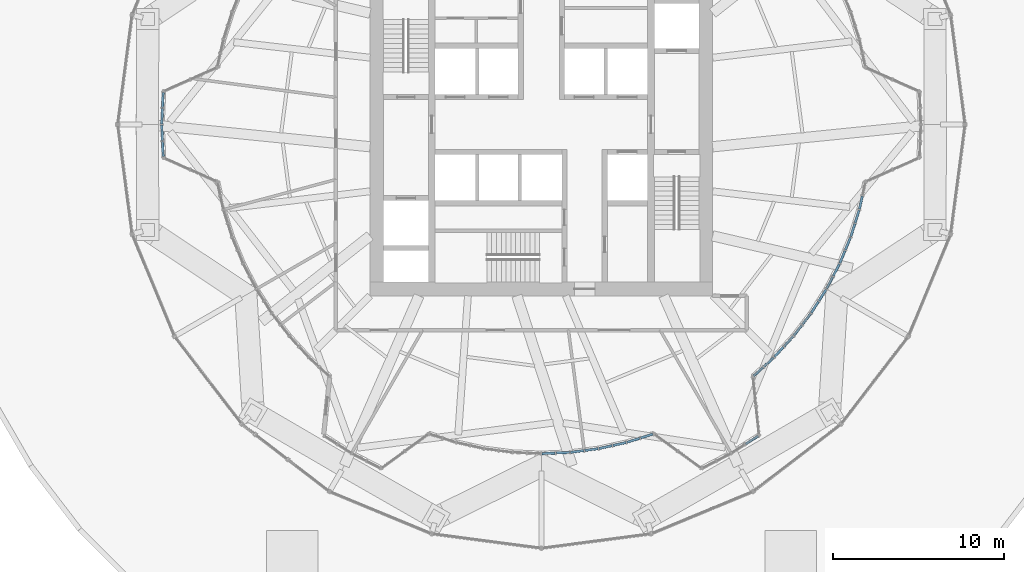
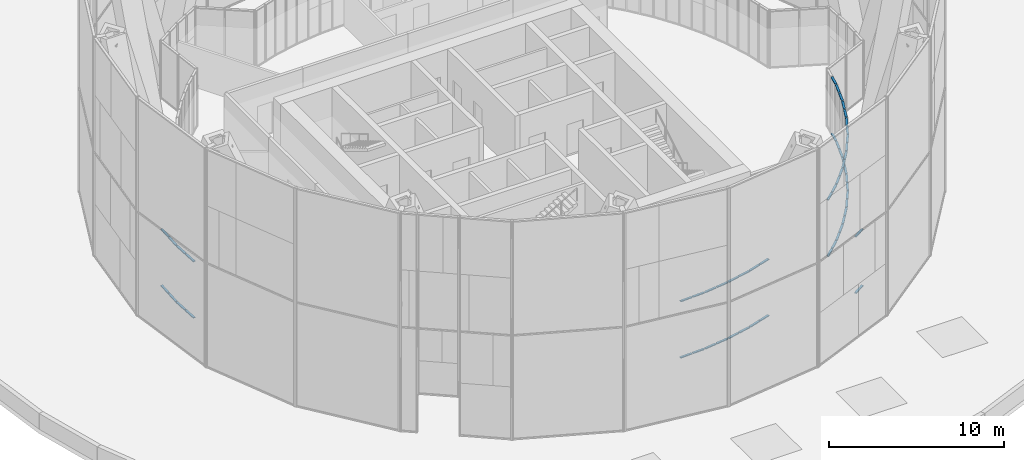
# One storey, part 12 of 27: 56 members, 15 elements without a shape of their own.
"""IFC4 building model written with IfcOpenShell, lengths in metres."""

from ifc_helpers import new_model, si_unit, direction, frame, origin, origin_2d, place, context, subcontext, project, spatial, rectangle, extrude, material, material_profile, profile_set, type_object, element, aggregate, save


model = new_model("IFC4")

# Units and contexts
model_context = context("Model", 3, precision=1e-05, world=origin(), true_north=direction((0.0, 1.0)))
body_context = subcontext(model_context, "Body", "Model", "MODEL_VIEW")
ifc_project = project(units=[si_unit("LENGTHUNIT", "METRE"), si_unit("AREAUNIT", "SQUARE_METRE"), si_unit("VOLUMEUNIT", "CUBIC_METRE"), si_unit("PLANEANGLEUNIT", "RADIAN"), si_unit("MASSUNIT", "GRAM", prefix="KILO")], contexts=[model_context])

# Site, building, storey
site_placement = place(None, origin())
site = spatial("IfcSite", under=ifc_project, at=site_placement, CompositionType="ELEMENT")
building_placement = place(site_placement, origin())
building = spatial("IfcBuilding", under=site, at=building_placement, Name="Golbaran Civic Tower", CompositionType="ELEMENT")
storey_placement = place(building_placement, frame((0.0, 0.0, 21.0)))
storey = spatial("IfcBuildingStorey", under=building, at=storey_placement, Name="L04", CompositionType="ELEMENT", Elevation=21.0)

# Curtain wall, members
ifc_material_1 = material(Name="Aluminium and glass", Category="aluminium")
curtain_wall_type = type_object("IfcCurtainWallType", Name="INNER SKIN CURTAIN WALL", PredefinedType="NOTDEFINED", material=ifc_material_1)
curtain_wall_1_placement = place(storey_placement, origin())
curtain_wall_1 = element("IfcCurtainWall", 1, at=curtain_wall_1_placement, inside=storey, type_object=curtain_wall_type, Name="Inner skin L04 facet 36 CW1", ObjectType="INNER SKIN", PredefinedType="USERDEFINED")
ifc_material_2 = material(Name="Aluminium", Category="aluminium")
ifc_material_profile = material_profile(ifc_material_2, rectangle(XDim=0.139892578125, YDim=0.06494140625, at=origin_2d()), Name="INNER SKIN CURTAIN WALL TRANSOM")
ifc_profile_set = profile_set([ifc_material_profile], Name="Aluminium")
member_type = type_object("IfcMemberType", Name="INNER SKIN CURTAIN WALL TRANSOM", PredefinedType="USERDEFINED", material=ifc_profile_set)
member_1_placement = place(storey_placement, frame((-22.07861328125, 1.866455078125, 0.032470703125), z_axis=(-0.043534733393, -0.999051914061, 0.0), x_axis=(0.999051914061, -0.043534733393, 0.0)))
member_1 = element("IfcMember", 2, at=member_1_placement, type_object=member_type, Name="CW1 transom 1.1", ObjectType="TRANSOM", PredefinedType="USERDEFINED", context=body_context, shape_type="SweptSolid", body=[
    extrude(rectangle(XDim=0.139892578125, YDim=0.06494140625, at=origin_2d()), origin(), (0.0, 0.0, 1.0), 0.869140625),
])
member_2_placement = place(storey_placement, frame((-22.07861328125, 1.866455078125, 3.967529296875), z_axis=(-0.043534733393, -0.999051914061, 0.0), x_axis=(0.999051914061, -0.043534733393, 0.0)))
member_2 = element("IfcMember", 3, at=member_2_placement, type_object=member_type, Name="CW1 transom 1.2", ObjectType="TRANSOM", PredefinedType="USERDEFINED", context=body_context, shape_type="SweptSolid", body=[
    extrude(rectangle(XDim=0.139892578125, YDim=0.06494140625, at=origin_2d()), origin(), (0.0, 0.0, 1.0), 0.869140625),
])
member_3_placement = place(storey_placement, frame((-22.119140625, 0.93310546875, 0.032470703125), z_axis=(-0.043872057348, -0.999037157759, 0.0), x_axis=(0.999037157759, -0.043872057348, 0.0)))
member_3 = element("IfcMember", 4, at=member_3_placement, type_object=member_type, Name="CW1 transom 2.1", ObjectType="TRANSOM", PredefinedType="USERDEFINED", context=body_context, shape_type="SweptSolid", body=[
    extrude(rectangle(XDim=0.139892578125, YDim=0.06494140625, at=origin_2d()), origin(), (0.0, 0.0, 1.0), 0.901611328125),
])
member_4_placement = place(storey_placement, frame((-22.119140625, 0.93310546875, 3.967529296875), z_axis=(-0.043872057348, -0.999037157759, 0.0), x_axis=(0.999037157759, -0.043872057348, 0.0)))
member_4 = element("IfcMember", 5, at=member_4_placement, type_object=member_type, Name="CW1 transom 2.2", ObjectType="TRANSOM", PredefinedType="USERDEFINED", context=body_context, shape_type="SweptSolid", body=[
    extrude(rectangle(XDim=0.139892578125, YDim=0.06494140625, at=origin_2d()), origin(), (0.0, 0.0, 1.0), 0.901611328125),
])
aggregate(curtain_wall_1, [member_1, member_2, member_3, member_4])

curtain_wall_2_placement = place(storey_placement, origin())
curtain_wall_2 = element("IfcCurtainWall", 6, at=curtain_wall_2_placement, inside=storey, type_object=curtain_wall_type, Name="Inner skin L04 facet 37 CW1", ObjectType="INNER SKIN", PredefinedType="USERDEFINED")
member_5_placement = place(storey_placement, frame((-22.15869140625, -0.032470703125, 0.032470703125), z_axis=(0.043872057348, -0.999037157759, 0.0), x_axis=(0.999037157759, 0.043872057348, 0.0)))
member_5 = element("IfcMember", 7, at=member_5_placement, type_object=member_type, Name="CW1 transom 1.1", ObjectType="TRANSOM", PredefinedType="USERDEFINED", context=body_context, shape_type="SweptSolid", body=[
    extrude(rectangle(XDim=0.139892578125, YDim=0.06494140625, at=origin_2d()), origin(), (0.0, 0.0, 1.0), 0.901611328125),
])
member_6_placement = place(storey_placement, frame((-22.15869140625, -0.032470703125, 3.967529296875), z_axis=(0.043872057348, -0.999037157759, 0.0), x_axis=(0.999037157759, 0.043872057348, 0.0)))
member_6 = element("IfcMember", 8, at=member_6_placement, type_object=member_type, Name="CW1 transom 1.2", ObjectType="TRANSOM", PredefinedType="USERDEFINED", context=body_context, shape_type="SweptSolid", body=[
    extrude(rectangle(XDim=0.139892578125, YDim=0.06494140625, at=origin_2d()), origin(), (0.0, 0.0, 1.0), 0.901611328125),
])
member_7_placement = place(storey_placement, frame((-22.116455078125, -0.998046875, 0.032470703125), z_axis=(0.043534733393, -0.999051914061, 0.0), x_axis=(0.999051914061, 0.043534733393, 0.0)))
member_7 = element("IfcMember", 9, at=member_7_placement, type_object=member_type, Name="CW1 transom 2.1", ObjectType="TRANSOM", PredefinedType="USERDEFINED", context=body_context, shape_type="SweptSolid", body=[
    extrude(rectangle(XDim=0.139892578125, YDim=0.06494140625, at=origin_2d()), origin(), (0.0, 0.0, 1.0), 0.869140625),
])
member_8_placement = place(storey_placement, frame((-22.116455078125, -0.998046875, 3.967529296875), z_axis=(0.043534733393, -0.999051914061, 0.0), x_axis=(0.999051914061, 0.043534733393, 0.0)))
member_8 = element("IfcMember", 10, at=member_8_placement, type_object=member_type, Name="CW1 transom 2.2", ObjectType="TRANSOM", PredefinedType="USERDEFINED", context=body_context, shape_type="SweptSolid", body=[
    extrude(rectangle(XDim=0.139892578125, YDim=0.06494140625, at=origin_2d()), origin(), (0.0, 0.0, 1.0), 0.869140625),
])
aggregate(curtain_wall_2, [member_5, member_6, member_7, member_8])

curtain_wall_3_placement = place(storey_placement, origin())
curtain_wall_3 = element("IfcCurtainWall", 11, at=curtain_wall_3_placement, inside=storey, type_object=curtain_wall_type, Name="Inner skin L04 facet 55 CW1", ObjectType="INNER SKIN", PredefinedType="USERDEFINED")
member_9_placement = place(storey_placement, frame((0.032470703125, -19.213623046875, 0.032470703125), z_axis=(0.999050191308, 0.043574249811, 0.0), x_axis=(-0.043574249811, 0.999050191308, 0.0)))
member_9 = element("IfcMember", 12, at=member_9_placement, type_object=member_type, Name="CW1 transom 1.1", ObjectType="TRANSOM", PredefinedType="USERDEFINED", context=body_context, shape_type="SweptSolid", body=[
    extrude(rectangle(XDim=0.139892578125, YDim=0.06494140625, at=origin_2d()), origin(), (0.0, 0.0, 1.0), 0.773193359375),
])
member_10_placement = place(storey_placement, frame((0.032470703125, -19.213623046875, 3.967529296875), z_axis=(0.999050191308, 0.043574249811, 0.0), x_axis=(-0.043574249811, 0.999050191308, 0.0)))
member_10 = element("IfcMember", 13, at=member_10_placement, type_object=member_type, Name="CW1 transom 1.2", ObjectType="TRANSOM", PredefinedType="USERDEFINED", context=body_context, shape_type="SweptSolid", body=[
    extrude(rectangle(XDim=0.139892578125, YDim=0.06494140625, at=origin_2d()), origin(), (0.0, 0.0, 1.0), 0.773193359375),
])
member_11_placement = place(storey_placement, frame((0.869873046875, -19.177001953125, 0.032470703125), z_axis=(0.999050191308, 0.043574249811, 0.0), x_axis=(-0.043574249811, 0.999050191308, 0.0)))
member_11 = element("IfcMember", 14, at=member_11_placement, type_object=member_type, Name="CW1 transom 2.1", ObjectType="TRANSOM", PredefinedType="USERDEFINED", context=body_context, shape_type="SweptSolid", body=[
    extrude(rectangle(XDim=0.139892578125, YDim=0.06494140625, at=origin_2d()), origin(), (0.0, 0.0, 1.0), 0.773193359375),
])
member_12_placement = place(storey_placement, frame((0.869873046875, -19.177001953125, 3.967529296875), z_axis=(0.999050191308, 0.043574249811, 0.0), x_axis=(-0.043574249811, 0.999050191308, 0.0)))
member_12 = element("IfcMember", 15, at=member_12_placement, type_object=member_type, Name="CW1 transom 2.2", ObjectType="TRANSOM", PredefinedType="USERDEFINED", context=body_context, shape_type="SweptSolid", body=[
    extrude(rectangle(XDim=0.139892578125, YDim=0.06494140625, at=origin_2d()), origin(), (0.0, 0.0, 1.0), 0.773193359375),
])
aggregate(curtain_wall_3, [member_9, member_10, member_11, member_12])

curtain_wall_4_placement = place(storey_placement, origin())
curtain_wall_4 = element("IfcCurtainWall", 16, at=curtain_wall_4_placement, inside=storey, type_object=curtain_wall_type, Name="Inner skin L04 facet 56 CW1", ObjectType="INNER SKIN", PredefinedType="USERDEFINED")
member_13_placement = place(storey_placement, frame((1.70703125, -19.1376953125, 0.032470703125), z_axis=(0.991414474121, 0.130756799072, 0.0), x_axis=(-0.130756799072, 0.991414474121, 0.0)))
member_13 = element("IfcMember", 17, at=member_13_placement, type_object=member_type, Name="CW1 transom 1.1", ObjectType="TRANSOM", PredefinedType="USERDEFINED", context=body_context, shape_type="SweptSolid", body=[
    extrude(rectangle(XDim=0.139892578125, YDim=0.06494140625, at=origin_2d()), origin(), (0.0, 0.0, 1.0), 0.77294921875),
])
member_14_placement = place(storey_placement, frame((1.70703125, -19.1376953125, 3.967529296875), z_axis=(0.991414474121, 0.130756799072, 0.0), x_axis=(-0.130756799072, 0.991414474121, 0.0)))
member_14 = element("IfcMember", 18, at=member_14_placement, type_object=member_type, Name="CW1 transom 1.2", ObjectType="TRANSOM", PredefinedType="USERDEFINED", context=body_context, shape_type="SweptSolid", body=[
    extrude(rectangle(XDim=0.139892578125, YDim=0.06494140625, at=origin_2d()), origin(), (0.0, 0.0, 1.0), 0.77294921875),
])
member_15_placement = place(storey_placement, frame((2.537841796875, -19.0283203125, 0.032470703125), z_axis=(0.99141987157, 0.130715868417, 0.0), x_axis=(-0.130715868417, 0.99141987157, 0.0)))
member_15 = element("IfcMember", 19, at=member_15_placement, type_object=member_type, Name="CW1 transom 2.1", ObjectType="TRANSOM", PredefinedType="USERDEFINED", context=body_context, shape_type="SweptSolid", body=[
    extrude(rectangle(XDim=0.139892578125, YDim=0.06494140625, at=origin_2d()), origin(), (0.0, 0.0, 1.0), 0.773193359375),
])
member_16_placement = place(storey_placement, frame((2.537841796875, -19.0283203125, 3.967529296875), z_axis=(0.99141987157, 0.130715868417, 0.0), x_axis=(-0.130715868417, 0.99141987157, 0.0)))
member_16 = element("IfcMember", 20, at=member_16_placement, type_object=member_type, Name="CW1 transom 2.2", ObjectType="TRANSOM", PredefinedType="USERDEFINED", context=body_context, shape_type="SweptSolid", body=[
    extrude(rectangle(XDim=0.139892578125, YDim=0.06494140625, at=origin_2d()), origin(), (0.0, 0.0, 1.0), 0.773193359375),
])
aggregate(curtain_wall_4, [member_13, member_14, member_15, member_16])

curtain_wall_5_placement = place(storey_placement, origin())
curtain_wall_5 = element("IfcCurtainWall", 21, at=curtain_wall_5_placement, inside=storey, type_object=curtain_wall_type, Name="Inner skin L04 facet 57 CW1", ObjectType="INNER SKIN", PredefinedType="USERDEFINED")
member_17_placement = place(storey_placement, frame((3.368408203125, -18.916015625, 0.032470703125), z_axis=(0.97632801652, 0.216295178304, 0.0), x_axis=(-0.216295178304, 0.97632801652, 0.0)))
member_17 = element("IfcMember", 22, at=member_17_placement, type_object=member_type, Name="CW1 transom 1.1", ObjectType="TRANSOM", PredefinedType="USERDEFINED", context=body_context, shape_type="SweptSolid", body=[
    extrude(rectangle(XDim=0.139892578125, YDim=0.06494140625, at=origin_2d()), origin(), (0.0, 0.0, 1.0), 0.773193359375),
])
member_18_placement = place(storey_placement, frame((3.368408203125, -18.916015625, 3.967529296875), z_axis=(0.97632801652, 0.216295178304, 0.0), x_axis=(-0.216295178304, 0.97632801652, 0.0)))
member_18 = element("IfcMember", 23, at=member_18_placement, type_object=member_type, Name="CW1 transom 1.2", ObjectType="TRANSOM", PredefinedType="USERDEFINED", context=body_context, shape_type="SweptSolid", body=[
    extrude(rectangle(XDim=0.139892578125, YDim=0.06494140625, at=origin_2d()), origin(), (0.0, 0.0, 1.0), 0.773193359375),
])
member_19_placement = place(storey_placement, frame((4.186767578125, -18.734619140625, 0.032470703125), z_axis=(0.976313237324, 0.216361878864, 0.0), x_axis=(-0.216361878864, 0.976313237324, 0.0)))
member_19 = element("IfcMember", 24, at=member_19_placement, type_object=member_type, Name="CW1 transom 2.1", ObjectType="TRANSOM", PredefinedType="USERDEFINED", context=body_context, shape_type="SweptSolid", body=[
    extrude(rectangle(XDim=0.139892578125, YDim=0.06494140625, at=origin_2d()), origin(), (0.0, 0.0, 1.0), 0.77294921875),
])
member_20_placement = place(storey_placement, frame((4.186767578125, -18.734619140625, 3.967529296875), z_axis=(0.976313237324, 0.216361878864, 0.0), x_axis=(-0.216361878864, 0.976313237324, 0.0)))
member_20 = element("IfcMember", 25, at=member_20_placement, type_object=member_type, Name="CW1 transom 2.2", ObjectType="TRANSOM", PredefinedType="USERDEFINED", context=body_context, shape_type="SweptSolid", body=[
    extrude(rectangle(XDim=0.139892578125, YDim=0.06494140625, at=origin_2d()), origin(), (0.0, 0.0, 1.0), 0.77294921875),
])
aggregate(curtain_wall_5, [member_17, member_18, member_19, member_20])

curtain_wall_6_placement = place(storey_placement, origin())
curtain_wall_6 = element("IfcCurtainWall", 26, at=curtain_wall_6_placement, inside=storey, type_object=curtain_wall_type, Name="Inner skin L04 facet 58 CW1", ObjectType="INNER SKIN", PredefinedType="USERDEFINED")
member_21_placement = place(storey_placement, frame((5.004150390625, -18.550537109375, 0.032470703125), z_axis=(0.953735275038, 0.300647676105, 0.0), x_axis=(-0.300647676105, 0.953735275038, 0.0)))
member_21 = element("IfcMember", 27, at=member_21_placement, type_object=member_type, Name="CW1 transom 1.1", ObjectType="TRANSOM", PredefinedType="USERDEFINED", context=body_context, shape_type="SweptSolid", body=[
    extrude(rectangle(XDim=0.139892578125, YDim=0.06494140625, at=origin_2d()), origin(), (0.0, 0.0, 1.0), 0.77294921875),
])
member_22_placement = place(storey_placement, frame((5.004150390625, -18.550537109375, 3.967529296875), z_axis=(0.953735275038, 0.300647676105, 0.0), x_axis=(-0.300647676105, 0.953735275038, 0.0)))
member_22 = element("IfcMember", 28, at=member_22_placement, type_object=member_type, Name="CW1 transom 1.2", ObjectType="TRANSOM", PredefinedType="USERDEFINED", context=body_context, shape_type="SweptSolid", body=[
    extrude(rectangle(XDim=0.139892578125, YDim=0.06494140625, at=origin_2d()), origin(), (0.0, 0.0, 1.0), 0.77294921875),
])
member_23_placement = place(storey_placement, frame((5.803466796875, -18.29833984375, 0.032470703125), z_axis=(0.953761806135, 0.300563499376, 0.0), x_axis=(-0.300563499376, 0.953761806135, 0.0)))
member_23 = element("IfcMember", 29, at=member_23_placement, type_object=member_type, Name="CW1 transom 2.1", ObjectType="TRANSOM", PredefinedType="USERDEFINED", context=body_context, shape_type="SweptSolid", body=[
    extrude(rectangle(XDim=0.139892578125, YDim=0.06494140625, at=origin_2d()), origin(), (0.0, 0.0, 1.0), 0.74072265625),
])
member_24_placement = place(storey_placement, frame((5.803466796875, -18.29833984375, 3.967529296875), z_axis=(0.953761806135, 0.300563499376, 0.0), x_axis=(-0.300563499376, 0.953761806135, 0.0)))
member_24 = element("IfcMember", 30, at=member_24_placement, type_object=member_type, Name="CW1 transom 2.2", ObjectType="TRANSOM", PredefinedType="USERDEFINED", context=body_context, shape_type="SweptSolid", body=[
    extrude(rectangle(XDim=0.139892578125, YDim=0.06494140625, at=origin_2d()), origin(), (0.0, 0.0, 1.0), 0.74072265625),
])
aggregate(curtain_wall_6, [member_21, member_22, member_23, member_24])

curtain_wall_7_placement = place(storey_placement, origin())
curtain_wall_7 = element("IfcCurtainWall", 31, at=curtain_wall_7_placement, inside=storey, type_object=curtain_wall_type, Name="Inner skin L04 facet 61 CW1", ObjectType="INNER SKIN", PredefinedType="USERDEFINED")
member_25_placement = place(storey_placement, frame((11.922607421875, -18.654296875, 0.032470703125), z_axis=(0.843325869914, 0.53740252803, 0.0), x_axis=(-0.53740252803, 0.843325869914, 0.0)))
member_25 = element("IfcMember", 32, at=member_25_placement, type_object=member_type, Name="CW1 transom 2.1", ObjectType="TRANSOM", PredefinedType="USERDEFINED", context=body_context, shape_type="SweptSolid", body=[
    extrude(rectangle(XDim=0.139892578125, YDim=0.06494140625, at=origin_2d()), origin(), (0.0, 0.0, 1.0), 0.869140625),
])
member_26_placement = place(storey_placement, frame((11.922607421875, -18.654296875, 3.967529296875), z_axis=(0.843325869914, 0.53740252803, 0.0), x_axis=(-0.53740252803, 0.843325869914, 0.0)))
member_26 = element("IfcMember", 33, at=member_26_placement, type_object=member_type, Name="CW1 transom 2.2", ObjectType="TRANSOM", PredefinedType="USERDEFINED", context=body_context, shape_type="SweptSolid", body=[
    extrude(rectangle(XDim=0.139892578125, YDim=0.06494140625, at=origin_2d()), origin(), (0.0, 0.0, 1.0), 0.869140625),
])
aggregate(curtain_wall_7, [member_25, member_26])

curtain_wall_8_placement = place(storey_placement, origin())
curtain_wall_8 = element("IfcCurtainWall", 34, at=curtain_wall_8_placement, inside=storey, type_object=curtain_wall_type, Name="Inner skin L04 facet 63 CW1", ObjectType="INNER SKIN", PredefinedType="USERDEFINED")
member_27_placement = place(storey_placement, frame((12.399169921875, -14.675537109375, 0.032470703125), z_axis=(0.737263623889, 0.675605172338, 0.0), x_axis=(-0.675605172338, 0.737263623889, 0.0)))
member_27 = element("IfcMember", 35, at=member_27_placement, type_object=member_type, Name="CW1 transom 1.1", ObjectType="TRANSOM", PredefinedType="USERDEFINED", context=body_context, shape_type="SweptSolid", body=[
    extrude(rectangle(XDim=0.139892578125, YDim=0.06494140625, at=origin_2d()), origin(), (0.0, 0.0, 1.0), 0.740478515625),
])
member_28_placement = place(storey_placement, frame((12.399169921875, -14.675537109375, 3.967529296875), z_axis=(0.737263623889, 0.675605172338, 0.0), x_axis=(-0.675605172338, 0.737263623889, 0.0)))
member_28 = element("IfcMember", 36, at=member_28_placement, type_object=member_type, Name="CW1 transom 1.2", ObjectType="TRANSOM", PredefinedType="USERDEFINED", context=body_context, shape_type="SweptSolid", body=[
    extrude(rectangle(XDim=0.139892578125, YDim=0.06494140625, at=origin_2d()), origin(), (0.0, 0.0, 1.0), 0.740478515625),
])
member_29_placement = place(storey_placement, frame((12.9931640625, -14.13134765625, 0.032470703125), z_axis=(0.737232803885, 0.67563880356, 0.0), x_axis=(-0.67563880356, 0.737232803885, 0.0)))
member_29 = element("IfcMember", 37, at=member_29_placement, type_object=member_type, Name="CW1 transom 2.1", ObjectType="TRANSOM", PredefinedType="USERDEFINED", context=body_context, shape_type="SweptSolid", body=[
    extrude(rectangle(XDim=0.139892578125, YDim=0.06494140625, at=origin_2d()), origin(), (0.0, 0.0, 1.0), 0.77294921875),
])
member_30_placement = place(storey_placement, frame((12.9931640625, -14.13134765625, 3.967529296875), z_axis=(0.737232803885, 0.67563880356, 0.0), x_axis=(-0.67563880356, 0.737232803885, 0.0)))
member_30 = element("IfcMember", 38, at=member_30_placement, type_object=member_type, Name="CW1 transom 2.2", ObjectType="TRANSOM", PredefinedType="USERDEFINED", context=body_context, shape_type="SweptSolid", body=[
    extrude(rectangle(XDim=0.139892578125, YDim=0.06494140625, at=origin_2d()), origin(), (0.0, 0.0, 1.0), 0.77294921875),
])
aggregate(curtain_wall_8, [member_27, member_28, member_29, member_30])

curtain_wall_9_placement = place(storey_placement, origin())
curtain_wall_9 = element("IfcCurtainWall", 39, at=curtain_wall_9_placement, inside=storey, type_object=curtain_wall_type, Name="Inner skin L04 facet 64 CW1", ObjectType="INNER SKIN", PredefinedType="USERDEFINED")
member_31_placement = place(storey_placement, frame((13.609130859375, -13.56298828125, 0.032470703125), z_axis=(0.67563880356, 0.737232803885, 0.0), x_axis=(-0.737232803885, 0.67563880356, 0.0)))
member_31 = element("IfcMember", 40, at=member_31_placement, type_object=member_type, Name="CW1 transom 1.1", ObjectType="TRANSOM", PredefinedType="USERDEFINED", context=body_context, shape_type="SweptSolid", body=[
    extrude(rectangle(XDim=0.139892578125, YDim=0.06494140625, at=origin_2d()), origin(), (0.0, 0.0, 1.0), 0.77294921875),
])
member_32_placement = place(storey_placement, frame((13.609130859375, -13.56298828125, 3.967529296875), z_axis=(0.67563880356, 0.737232803885, 0.0), x_axis=(-0.737232803885, 0.67563880356, 0.0)))
member_32 = element("IfcMember", 41, at=member_32_placement, type_object=member_type, Name="CW1 transom 1.2", ObjectType="TRANSOM", PredefinedType="USERDEFINED", context=body_context, shape_type="SweptSolid", body=[
    extrude(rectangle(XDim=0.139892578125, YDim=0.06494140625, at=origin_2d()), origin(), (0.0, 0.0, 1.0), 0.77294921875),
])
member_33_placement = place(storey_placement, frame((14.17529296875, -12.945068359375, 0.032470703125), z_axis=(0.67563880356, 0.737232803885, 0.0), x_axis=(-0.737232803885, 0.67563880356, 0.0)))
member_33 = element("IfcMember", 42, at=member_33_placement, type_object=member_type, Name="CW1 transom 2.1", ObjectType="TRANSOM", PredefinedType="USERDEFINED", context=body_context, shape_type="SweptSolid", body=[
    extrude(rectangle(XDim=0.139892578125, YDim=0.06494140625, at=origin_2d()), origin(), (0.0, 0.0, 1.0), 0.77294921875),
])
member_34_placement = place(storey_placement, frame((14.17529296875, -12.945068359375, 3.967529296875), z_axis=(0.67563880356, 0.737232803885, 0.0), x_axis=(-0.737232803885, 0.67563880356, 0.0)))
member_34 = element("IfcMember", 43, at=member_34_placement, type_object=member_type, Name="CW1 transom 2.2", ObjectType="TRANSOM", PredefinedType="USERDEFINED", context=body_context, shape_type="SweptSolid", body=[
    extrude(rectangle(XDim=0.139892578125, YDim=0.06494140625, at=origin_2d()), origin(), (0.0, 0.0, 1.0), 0.77294921875),
])
aggregate(curtain_wall_9, [member_31, member_32, member_33, member_34])

curtain_wall_10_placement = place(storey_placement, origin())
curtain_wall_10 = element("IfcCurtainWall", 44, at=curtain_wall_10_placement, inside=storey, type_object=curtain_wall_type, Name="Inner skin L04 facet 65 CW1", ObjectType="INNER SKIN", PredefinedType="USERDEFINED")
member_35_placement = place(storey_placement, frame((14.7392578125, -12.325439453125, 0.032470703125), z_axis=(0.608703259192, 0.793397972173, 0.0), x_axis=(-0.793397972173, 0.608703259192, 0.0)))
member_35 = element("IfcMember", 45, at=member_35_placement, type_object=member_type, Name="CW1 transom 1.1", ObjectType="TRANSOM", PredefinedType="USERDEFINED", context=body_context, shape_type="SweptSolid", body=[
    extrude(rectangle(XDim=0.139892578125, YDim=0.06494140625, at=origin_2d()), origin(), (0.0, 0.0, 1.0), 0.773193359375),
])
member_36_placement = place(storey_placement, frame((14.7392578125, -12.325439453125, 3.967529296875), z_axis=(0.608703259192, 0.793397972173, 0.0), x_axis=(-0.793397972173, 0.608703259192, 0.0)))
member_36 = element("IfcMember", 46, at=member_36_placement, type_object=member_type, Name="CW1 transom 1.2", ObjectType="TRANSOM", PredefinedType="USERDEFINED", context=body_context, shape_type="SweptSolid", body=[
    extrude(rectangle(XDim=0.139892578125, YDim=0.06494140625, at=origin_2d()), origin(), (0.0, 0.0, 1.0), 0.773193359375),
])
member_37_placement = place(storey_placement, frame((15.24951171875, -11.660400390625, 0.032470703125), z_axis=(0.608855759976, 0.793280948683, 0.0), x_axis=(-0.793280948683, 0.608855759976, 0.0)))
member_37 = element("IfcMember", 47, at=member_37_placement, type_object=member_type, Name="CW1 transom 2.1", ObjectType="TRANSOM", PredefinedType="USERDEFINED", context=body_context, shape_type="SweptSolid", body=[
    extrude(rectangle(XDim=0.139892578125, YDim=0.06494140625, at=origin_2d()), origin(), (0.0, 0.0, 1.0), 0.773193359375),
])
member_38_placement = place(storey_placement, frame((15.24951171875, -11.660400390625, 3.967529296875), z_axis=(0.608855759976, 0.793280948683, 0.0), x_axis=(-0.793280948683, 0.608855759976, 0.0)))
member_38 = element("IfcMember", 48, at=member_38_placement, type_object=member_type, Name="CW1 transom 2.2", ObjectType="TRANSOM", PredefinedType="USERDEFINED", context=body_context, shape_type="SweptSolid", body=[
    extrude(rectangle(XDim=0.139892578125, YDim=0.06494140625, at=origin_2d()), origin(), (0.0, 0.0, 1.0), 0.773193359375),
])
aggregate(curtain_wall_10, [member_35, member_36, member_37, member_38])

curtain_wall_11_placement = place(storey_placement, origin())
curtain_wall_11 = element("IfcCurtainWall", 49, at=curtain_wall_11_placement, inside=storey, type_object=curtain_wall_type, Name="Inner skin L04 facet 66 CW1", ObjectType="INNER SKIN", PredefinedType="USERDEFINED")
member_39_placement = place(storey_placement, frame((15.757568359375, -10.993896484375, 0.032470703125), z_axis=(0.537161531377, 0.843479394655, 0.0), x_axis=(-0.843479394655, 0.537161531377, 0.0)))
member_39 = element("IfcMember", 50, at=member_39_placement, type_object=member_type, Name="CW1 transom 1.1", ObjectType="TRANSOM", PredefinedType="USERDEFINED", context=body_context, shape_type="SweptSolid", body=[
    extrude(rectangle(XDim=0.139892578125, YDim=0.06494140625, at=origin_2d()), origin(), (0.0, 0.0, 1.0), 0.773193359375),
])
member_40_placement = place(storey_placement, frame((15.757568359375, -10.993896484375, 3.967529296875), z_axis=(0.537161531377, 0.843479394655, 0.0), x_axis=(-0.843479394655, 0.537161531377, 0.0)))
member_40 = element("IfcMember", 51, at=member_40_placement, type_object=member_type, Name="CW1 transom 1.2", ObjectType="TRANSOM", PredefinedType="USERDEFINED", context=body_context, shape_type="SweptSolid", body=[
    extrude(rectangle(XDim=0.139892578125, YDim=0.06494140625, at=origin_2d()), origin(), (0.0, 0.0, 1.0), 0.773193359375),
])
member_41_placement = place(storey_placement, frame((16.207763671875, -10.286865234375, 0.032470703125), z_axis=(0.537529268504, 0.843245092189, 0.0), x_axis=(-0.843245092189, 0.537529268504, 0.0)))
member_41 = element("IfcMember", 52, at=member_41_placement, type_object=member_type, Name="CW1 transom 2.1", ObjectType="TRANSOM", PredefinedType="USERDEFINED", context=body_context, shape_type="SweptSolid", body=[
    extrude(rectangle(XDim=0.139892578125, YDim=0.06494140625, at=origin_2d()), origin(), (0.0, 0.0, 1.0), 0.77294921875),
])
member_42_placement = place(storey_placement, frame((16.207763671875, -10.286865234375, 3.967529296875), z_axis=(0.537529268504, 0.843245092189, 0.0), x_axis=(-0.843245092189, 0.537529268504, 0.0)))
member_42 = element("IfcMember", 53, at=member_42_placement, type_object=member_type, Name="CW1 transom 2.2", ObjectType="TRANSOM", PredefinedType="USERDEFINED", context=body_context, shape_type="SweptSolid", body=[
    extrude(rectangle(XDim=0.139892578125, YDim=0.06494140625, at=origin_2d()), origin(), (0.0, 0.0, 1.0), 0.77294921875),
])
aggregate(curtain_wall_11, [member_39, member_40, member_41, member_42])

curtain_wall_12_placement = place(storey_placement, origin())
curtain_wall_12 = element("IfcCurtainWall", 54, at=curtain_wall_12_placement, inside=storey, type_object=curtain_wall_type, Name="Inner skin L04 facet 67 CW1", ObjectType="INNER SKIN", PredefinedType="USERDEFINED")
member_43_placement = place(storey_placement, frame((16.65576171875, -9.57861328125, 0.032470703125), z_axis=(0.461680821469, 0.887046120045, 0.0), x_axis=(-0.887046120045, 0.461680821469, 0.0)))
member_43 = element("IfcMember", 55, at=member_43_placement, type_object=member_type, Name="CW1 transom 1.1", ObjectType="TRANSOM", PredefinedType="USERDEFINED", context=body_context, shape_type="SweptSolid", body=[
    extrude(rectangle(XDim=0.139892578125, YDim=0.06494140625, at=origin_2d()), origin(), (0.0, 0.0, 1.0), 0.773193359375),
])
member_44_placement = place(storey_placement, frame((16.65576171875, -9.57861328125, 3.967529296875), z_axis=(0.461680821469, 0.887046120045, 0.0), x_axis=(-0.887046120045, 0.461680821469, 0.0)))
member_44 = element("IfcMember", 56, at=member_44_placement, type_object=member_type, Name="CW1 transom 1.2", ObjectType="TRANSOM", PredefinedType="USERDEFINED", context=body_context, shape_type="SweptSolid", body=[
    extrude(rectangle(XDim=0.139892578125, YDim=0.06494140625, at=origin_2d()), origin(), (0.0, 0.0, 1.0), 0.773193359375),
])
member_45_placement = place(storey_placement, frame((17.042724609375, -8.835205078125, 0.032470703125), z_axis=(0.461680821469, 0.887046120045, 0.0), x_axis=(-0.887046120045, 0.461680821469, 0.0)))
member_45 = element("IfcMember", 57, at=member_45_placement, type_object=member_type, Name="CW1 transom 2.1", ObjectType="TRANSOM", PredefinedType="USERDEFINED", context=body_context, shape_type="SweptSolid", body=[
    extrude(rectangle(XDim=0.139892578125, YDim=0.06494140625, at=origin_2d()), origin(), (0.0, 0.0, 1.0), 0.773193359375),
])
member_46_placement = place(storey_placement, frame((17.042724609375, -8.835205078125, 3.967529296875), z_axis=(0.461680821469, 0.887046120045, 0.0), x_axis=(-0.887046120045, 0.461680821469, 0.0)))
member_46 = element("IfcMember", 58, at=member_46_placement, type_object=member_type, Name="CW1 transom 2.2", ObjectType="TRANSOM", PredefinedType="USERDEFINED", context=body_context, shape_type="SweptSolid", body=[
    extrude(rectangle(XDim=0.139892578125, YDim=0.06494140625, at=origin_2d()), origin(), (0.0, 0.0, 1.0), 0.773193359375),
])
aggregate(curtain_wall_12, [member_43, member_44, member_45, member_46])

curtain_wall_13_placement = place(storey_placement, origin())
curtain_wall_13 = element("IfcCurtainWall", 59, at=curtain_wall_13_placement, inside=storey, type_object=curtain_wall_type, Name="Inner skin L04 facet 68 CW1", ObjectType="INNER SKIN", PredefinedType="USERDEFINED")
member_47_placement = place(storey_placement, frame((17.42724609375, -8.090576171875, 0.032470703125), z_axis=(0.382416872552, 0.923989900155, 0.0), x_axis=(-0.923989900155, 0.382416872552, 0.0)))
member_47 = element("IfcMember", 60, at=member_47_placement, type_object=member_type, Name="CW1 transom 1.1", ObjectType="TRANSOM", PredefinedType="USERDEFINED", context=body_context, shape_type="SweptSolid", body=[
    extrude(rectangle(XDim=0.139892578125, YDim=0.06494140625, at=origin_2d()), origin(), (0.0, 0.0, 1.0), 0.773193359375),
])
member_48_placement = place(storey_placement, frame((17.42724609375, -8.090576171875, 3.967529296875), z_axis=(0.382416872552, 0.923989900155, 0.0), x_axis=(-0.923989900155, 0.382416872552, 0.0)))
member_48 = element("IfcMember", 61, at=member_48_placement, type_object=member_type, Name="CW1 transom 1.2", ObjectType="TRANSOM", PredefinedType="USERDEFINED", context=body_context, shape_type="SweptSolid", body=[
    extrude(rectangle(XDim=0.139892578125, YDim=0.06494140625, at=origin_2d()), origin(), (0.0, 0.0, 1.0), 0.773193359375),
])
member_49_placement = place(storey_placement, frame((17.747802734375, -7.316162109375, 0.032470703125), z_axis=(0.38279809258, 0.923832030359, 0.0), x_axis=(-0.923832030359, 0.38279809258, 0.0)))
member_49 = element("IfcMember", 62, at=member_49_placement, type_object=member_type, Name="CW1 transom 2.1", ObjectType="TRANSOM", PredefinedType="USERDEFINED", context=body_context, shape_type="SweptSolid", body=[
    extrude(rectangle(XDim=0.139892578125, YDim=0.06494140625, at=origin_2d()), origin(), (0.0, 0.0, 1.0), 0.77294921875),
])
member_50_placement = place(storey_placement, frame((17.747802734375, -7.316162109375, 3.967529296875), z_axis=(0.38279809258, 0.923832030359, 0.0), x_axis=(-0.923832030359, 0.38279809258, 0.0)))
member_50 = element("IfcMember", 63, at=member_50_placement, type_object=member_type, Name="CW1 transom 2.2", ObjectType="TRANSOM", PredefinedType="USERDEFINED", context=body_context, shape_type="SweptSolid", body=[
    extrude(rectangle(XDim=0.139892578125, YDim=0.06494140625, at=origin_2d()), origin(), (0.0, 0.0, 1.0), 0.77294921875),
])
aggregate(curtain_wall_13, [member_47, member_48, member_49, member_50])

curtain_wall_14_placement = place(storey_placement, origin())
curtain_wall_14 = element("IfcCurtainWall", 64, at=curtain_wall_14_placement, inside=storey, type_object=curtain_wall_type, Name="Inner skin L04 facet 69 CW1", ObjectType="INNER SKIN", PredefinedType="USERDEFINED")
member_51_placement = place(storey_placement, frame((18.06591796875, -6.541015625, 0.032470703125), z_axis=(0.300557148234, 0.953763807578, 0.0), x_axis=(-0.953763807578, 0.300557148234, 0.0)))
member_51 = element("IfcMember", 65, at=member_51_placement, type_object=member_type, Name="CW1 transom 1.1", ObjectType="TRANSOM", PredefinedType="USERDEFINED", context=body_context, shape_type="SweptSolid", body=[
    extrude(rectangle(XDim=0.139892578125, YDim=0.06494140625, at=origin_2d()), origin(), (0.0, 0.0, 1.0), 0.773193359375),
])
member_52_placement = place(storey_placement, frame((18.06591796875, -6.541015625, 3.967529296875), z_axis=(0.300557148234, 0.953763807578, 0.0), x_axis=(-0.953763807578, 0.300557148234, 0.0)))
member_52 = element("IfcMember", 66, at=member_52_placement, type_object=member_type, Name="CW1 transom 1.2", ObjectType="TRANSOM", PredefinedType="USERDEFINED", context=body_context, shape_type="SweptSolid", body=[
    extrude(rectangle(XDim=0.139892578125, YDim=0.06494140625, at=origin_2d()), origin(), (0.0, 0.0, 1.0), 0.773193359375),
])
member_53_placement = place(storey_placement, frame((18.318115234375, -5.741455078125, 0.032470703125), z_axis=(0.300647676105, 0.953735275038, 0.0), x_axis=(-0.953735275038, 0.300647676105, 0.0)))
member_53 = element("IfcMember", 67, at=member_53_placement, type_object=member_type, Name="CW1 transom 2.1", ObjectType="TRANSOM", PredefinedType="USERDEFINED", context=body_context, shape_type="SweptSolid", body=[
    extrude(rectangle(XDim=0.139892578125, YDim=0.06494140625, at=origin_2d()), origin(), (0.0, 0.0, 1.0), 0.77294921875),
])
member_54_placement = place(storey_placement, frame((18.318115234375, -5.741455078125, 3.967529296875), z_axis=(0.300647676105, 0.953735275038, 0.0), x_axis=(-0.953735275038, 0.300647676105, 0.0)))
member_54 = element("IfcMember", 68, at=member_54_placement, type_object=member_type, Name="CW1 transom 2.2", ObjectType="TRANSOM", PredefinedType="USERDEFINED", context=body_context, shape_type="SweptSolid", body=[
    extrude(rectangle(XDim=0.139892578125, YDim=0.06494140625, at=origin_2d()), origin(), (0.0, 0.0, 1.0), 0.77294921875),
])
aggregate(curtain_wall_14, [member_51, member_52, member_53, member_54])

curtain_wall_15_placement = place(storey_placement, origin())
curtain_wall_15 = element("IfcCurtainWall", 69, at=curtain_wall_15_placement, inside=storey, type_object=curtain_wall_type, Name="Inner skin L04 facet 70 CW1", ObjectType="INNER SKIN", PredefinedType="USERDEFINED")
member_55_placement = place(storey_placement, frame((18.5673828125, -4.94140625, 0.032470703125), z_axis=(0.216361878864, 0.976313237324, 0.0), x_axis=(-0.976313237324, 0.216361878864, 0.0)))
member_55 = element("IfcMember", 70, at=member_55_placement, type_object=member_type, Name="CW1 transom 1.1", ObjectType="TRANSOM", PredefinedType="USERDEFINED", context=body_context, shape_type="SweptSolid", body=[
    extrude(rectangle(XDim=0.139892578125, YDim=0.06494140625, at=origin_2d()), origin(), (0.0, 0.0, 1.0), 0.77294921875),
])
member_56_placement = place(storey_placement, frame((18.5673828125, -4.94140625, 3.967529296875), z_axis=(0.216361878864, 0.976313237324, 0.0), x_axis=(-0.976313237324, 0.216361878864, 0.0)))
member_56 = element("IfcMember", 71, at=member_56_placement, type_object=member_type, Name="CW1 transom 1.2", ObjectType="TRANSOM", PredefinedType="USERDEFINED", context=body_context, shape_type="SweptSolid", body=[
    extrude(rectangle(XDim=0.139892578125, YDim=0.06494140625, at=origin_2d()), origin(), (0.0, 0.0, 1.0), 0.77294921875),
])
aggregate(curtain_wall_15, [member_55, member_56])

save(model, "model.ifc")
